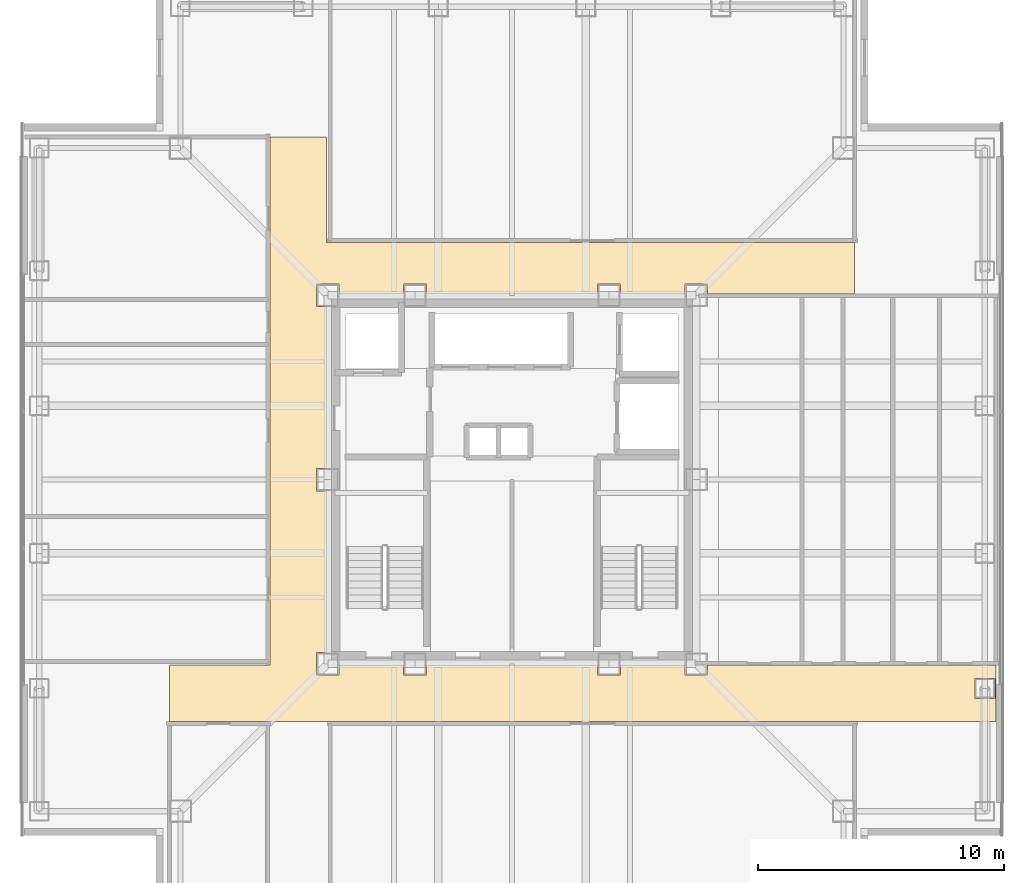
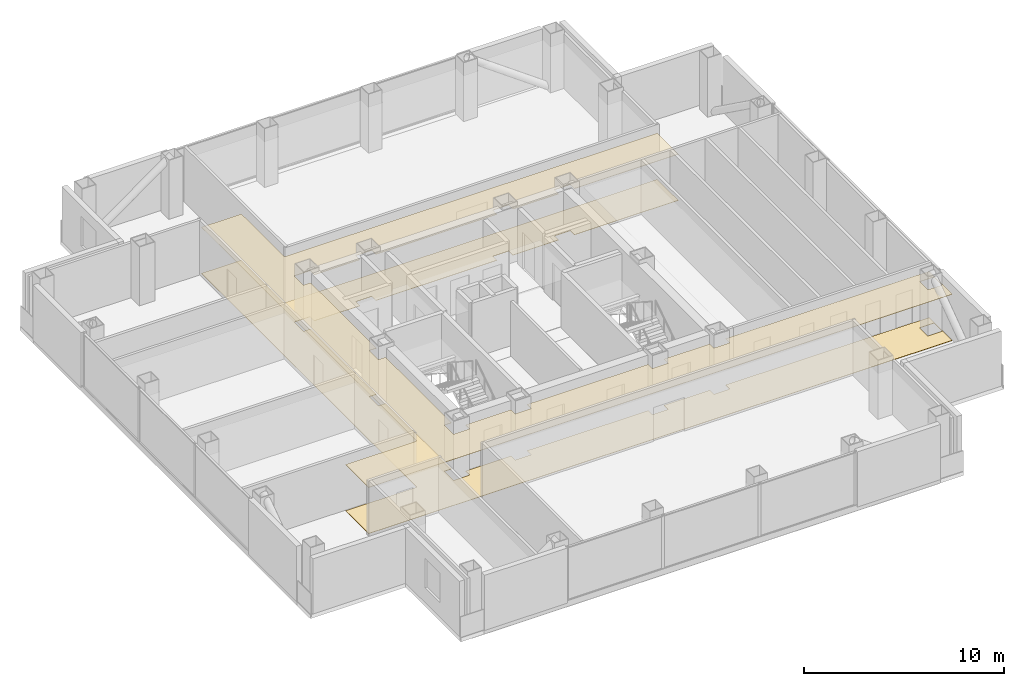
# One storey, part 14 of 16: 2 coverings.
"""IFC4 building model written with IfcOpenShell, lengths in metres."""

from ifc_helpers import new_model, si_unit, direction, frame, origin, place, context, subcontext, project, spatial, polyline, outline, extrude, material, layer, layer_set, type_object, element, save


model = new_model("IFC4")

# Units and contexts
model_context = context("Model", 3, precision=1e-05, world=origin(), true_north=direction((0.0, 1.0)))
body_context = subcontext(model_context, "Body", "Model", "MODEL_VIEW")
ifc_project = project(units=[si_unit("LENGTHUNIT", "METRE"), si_unit("AREAUNIT", "SQUARE_METRE"), si_unit("VOLUMEUNIT", "CUBIC_METRE"), si_unit("PLANEANGLEUNIT", "RADIAN"), si_unit("MASSUNIT", "GRAM", prefix="KILO")], contexts=[model_context])

# Site, building, storey
site_placement = place(None, origin())
site = spatial("IfcSite", under=ifc_project, at=site_placement, CompositionType="ELEMENT")
building_placement = place(site_placement, origin())
building = spatial("IfcBuilding", under=site, at=building_placement, Name="Trevonay Congress Spire", CompositionType="ELEMENT")
storey_placement = place(building_placement, frame((0.0, 0.0, 202.199951171875)))
storey = spatial("IfcBuildingStorey", under=building, at=storey_placement, Name="L52", CompositionType="ELEMENT", Elevation=202.199951171875)

# Coverings
ifc_material_1 = material(Name="Acoustic Mineral Fibre Board", Category="gypsum")
ifc_layer_1 = layer(ifc_material_1, 0.02490234375, Name="Acoustic Mineral Fibre Board")
ifc_layer_set_1 = layer_set([ifc_layer_1], Name="Acoustic Mineral Fibre Board")
covering_type_1 = type_object("IfcCoveringType", Name="COV-CEIL-ACOUSTIC", PredefinedType="CEILING", material=ifc_layer_set_1)
covering_1_placement = place(storey_placement, frame((0.0, 0.0, 2.81005859375)))
element("IfcCovering", 1, at=covering_1_placement, inside=storey, type_object=covering_type_1, Name="L52 Cruciform Boulevard Corridor acoustic suspended ceiling", PredefinedType="CEILING", context=body_context, shape_type="SweptSolid", body=[
    extrude(outline(polyline([(19.699951171875, -7.550048828125), (19.699951171875, -9.85009765625), (-13.949951171875, -9.85009765625), (-13.949951171875, -7.550048828125), (-9.85009765625, -7.550048828125), (-9.85009765625, 13.949951171875), (-7.550048828125, 13.949951171875), (-7.550048828125, 9.64990234375), (13.949951171875, 9.64990234375), (13.949951171875, 7.550048828125), (7.9599609375, 7.550048828125), (7.9599609375, 7.9599609375), (7.0400390625, 7.9599609375), (7.0400390625, 7.550048828125), (4.409912109375, 7.550048828125), (4.409912109375, 7.9599609375), (3.489990234375, 7.9599609375), (3.489990234375, 7.550048828125), (-3.489990234375, 7.550048828125), (-3.489990234375, 7.9599609375), (-4.409912109375, 7.9599609375), (-4.409912109375, 7.550048828125), (-7.0400390625, 7.550048828125), (-7.0400390625, 7.9599609375), (-7.9599609375, 7.9599609375), (-7.9599609375, 7.0400390625), (-7.550048828125, 7.0400390625), (-7.550048828125, 0.4599609375), (-7.9599609375, 0.4599609375), (-7.9599609375, -0.4599609375), (-7.550048828125, -0.4599609375), (-7.550048828125, -7.0400390625), (-7.9599609375, -7.0400390625), (-7.9599609375, -7.9599609375), (-7.0400390625, -7.9599609375), (-7.0400390625, -7.550048828125), (-4.409912109375, -7.550048828125), (-4.409912109375, -7.9599609375), (-3.489990234375, -7.9599609375), (-3.489990234375, -7.550048828125), (3.489990234375, -7.550048828125), (3.489990234375, -7.9599609375), (4.409912109375, -7.9599609375), (4.409912109375, -7.550048828125), (7.0400390625, -7.550048828125), (7.0400390625, -7.9599609375), (7.9599609375, -7.9599609375), (7.9599609375, -7.550048828125), (19.699951171875, -7.550048828125)]), holes=[polyline([(19.659912109375, -8.090087890625), (18.840087890625, -8.090087890625), (18.840087890625, -8.909912109375), (19.659912109375, -8.909912109375), (19.659912109375, -8.090087890625)])]), origin(), (0.0, 0.0, 1.0), 0.02490234375),
])
ifc_material_2 = material(Name="Polished Granite Floor Tile", Category="masonry")
ifc_layer_2 = layer(ifc_material_2, 0.02001953125, Name="Polished Granite Floor Tile")
ifc_layer_set_2 = layer_set([ifc_layer_2], Name="Polished Granite Floor Tile")
covering_type_2 = type_object("IfcCoveringType", Name="COV-FLOOR-STONE", PredefinedType="FLOORING", material=ifc_layer_set_2)
covering_2_placement = place(storey_placement, origin())
element("IfcCovering", 2, at=covering_2_placement, inside=storey, type_object=covering_type_2, Name="L52 Cruciform Boulevard Corridor floor finish", PredefinedType="FLOORING", context=body_context, shape_type="SweptSolid", body=[
    extrude(outline(polyline([(19.699951171875, -7.550048828125), (19.699951171875, -9.85009765625), (-13.949951171875, -9.85009765625), (-13.949951171875, -7.550048828125), (-9.85009765625, -7.550048828125), (-9.85009765625, 13.949951171875), (-7.550048828125, 13.949951171875), (-7.550048828125, 9.64990234375), (13.949951171875, 9.64990234375), (13.949951171875, 7.550048828125), (7.9599609375, 7.550048828125), (7.9599609375, 7.9599609375), (7.0400390625, 7.9599609375), (7.0400390625, 7.550048828125), (4.409912109375, 7.550048828125), (4.409912109375, 7.9599609375), (3.489990234375, 7.9599609375), (3.489990234375, 7.550048828125), (-3.489990234375, 7.550048828125), (-3.489990234375, 7.9599609375), (-4.409912109375, 7.9599609375), (-4.409912109375, 7.550048828125), (-7.0400390625, 7.550048828125), (-7.0400390625, 7.9599609375), (-7.9599609375, 7.9599609375), (-7.9599609375, 7.0400390625), (-7.550048828125, 7.0400390625), (-7.550048828125, 0.4599609375), (-7.9599609375, 0.4599609375), (-7.9599609375, -0.4599609375), (-7.550048828125, -0.4599609375), (-7.550048828125, -7.0400390625), (-7.9599609375, -7.0400390625), (-7.9599609375, -7.9599609375), (-7.0400390625, -7.9599609375), (-7.0400390625, -7.550048828125), (-4.409912109375, -7.550048828125), (-4.409912109375, -7.9599609375), (-3.489990234375, -7.9599609375), (-3.489990234375, -7.550048828125), (3.489990234375, -7.550048828125), (3.489990234375, -7.9599609375), (4.409912109375, -7.9599609375), (4.409912109375, -7.550048828125), (7.0400390625, -7.550048828125), (7.0400390625, -7.9599609375), (7.9599609375, -7.9599609375), (7.9599609375, -7.550048828125), (19.699951171875, -7.550048828125)]), holes=[polyline([(19.659912109375, -8.090087890625), (18.840087890625, -8.090087890625), (18.840087890625, -8.909912109375), (19.659912109375, -8.909912109375), (19.659912109375, -8.090087890625)])]), origin(), (0.0, 0.0, 1.0), 0.02001953125),
])

save(model, "model.ifc")
